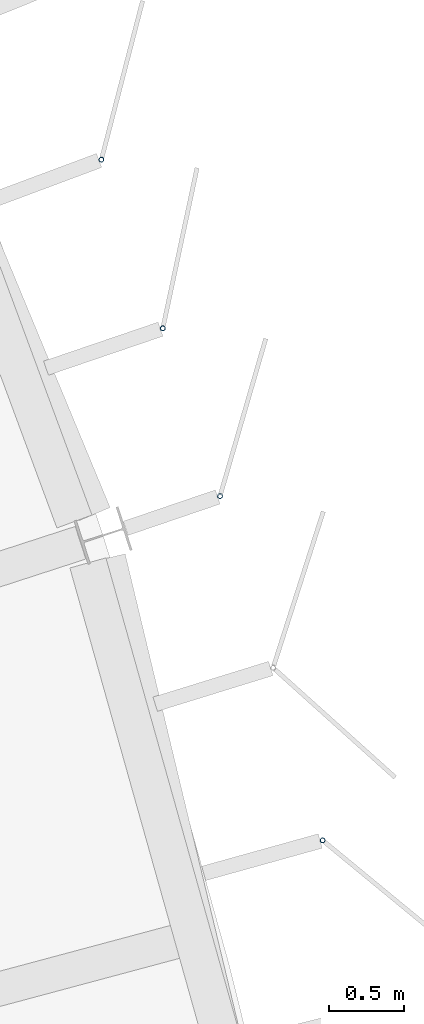
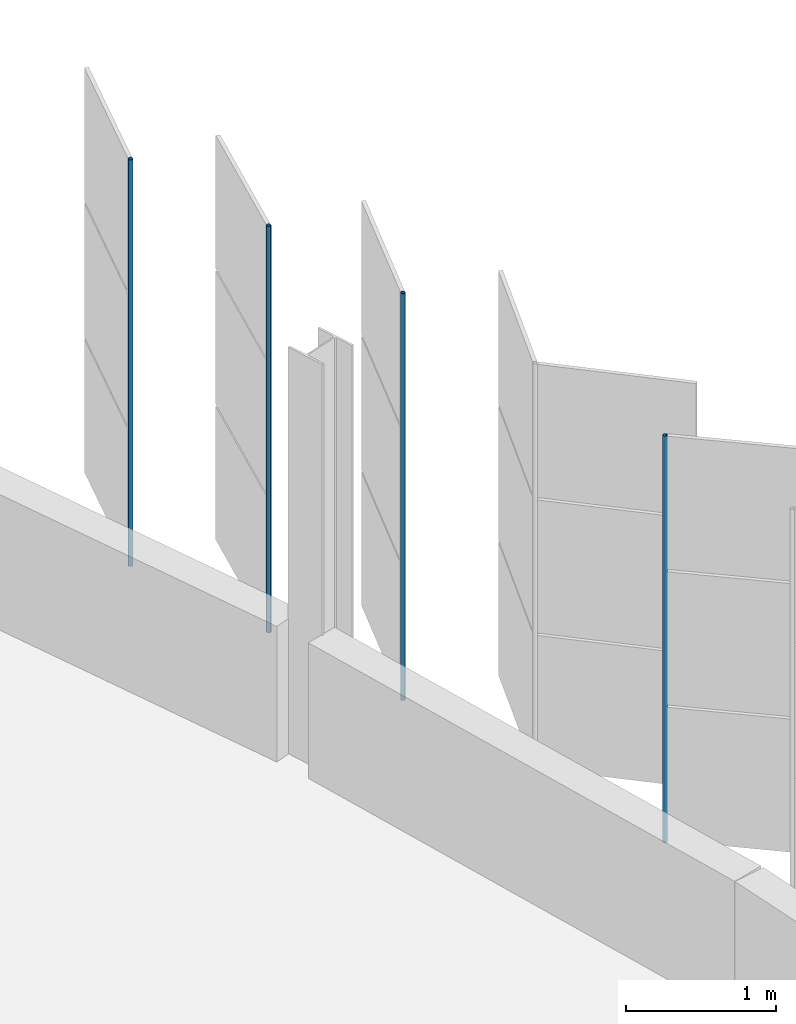
# One storey, part 139 of 214: 4 discrete accessories.
"""IFC4 building model written with IfcOpenShell, lengths in metres."""

from ifc_helpers import new_model, si_unit, direction, frame, origin, origin_2d, place, context, subcontext, project, spatial, hollow_circle, extrude, material, material_profile, profile_set, type_object, element, save


model = new_model("IFC4")

# Units and contexts
model_context = context("Model", 3, precision=1e-05, world=origin(), true_north=direction((0.0, 1.0)))
body_context = subcontext(model_context, "Body", "Model", "MODEL_VIEW")
ifc_project = project(units=[si_unit("LENGTHUNIT", "METRE"), si_unit("AREAUNIT", "SQUARE_METRE"), si_unit("VOLUMEUNIT", "CUBIC_METRE"), si_unit("PLANEANGLEUNIT", "RADIAN"), si_unit("MASSUNIT", "GRAM", prefix="KILO")], contexts=[model_context])

# Site, building, storey
site_placement = place(None, origin())
site = spatial("IfcSite", under=ifc_project, at=site_placement, CompositionType="ELEMENT")
building_placement = place(site_placement, origin())
building = spatial("IfcBuilding", under=site, at=building_placement, Name="Parallax Yard Mobility Hub", CompositionType="ELEMENT")
storey_placement = place(building_placement, frame((0.0, 0.0, 3.300048828125)))
storey = spatial("IfcBuildingStorey", under=building, at=storey_placement, Name="L01", CompositionType="ELEMENT", Elevation=3.300048828125)

# Discrete accessories
ifc_material = material(Name="Steel ASTM A500 Gr C, hot-dip galvanised", Category="steel")
ifc_material_profile = material_profile(ifc_material, hollow_circle(Radius=0.016845703125, WallThickness=0.003173828125, at=origin_2d()), Name="CHS 33.7x3.2")
ifc_profile_set = profile_set([ifc_material_profile], Name="Steel ASTM A500 Gr C, hot-dip galvanised")
discrete_accessory_type = type_object("IfcDiscreteAccessoryType", Name="Hinge post CHS 33.7x3.2", PredefinedType="BRACKET", material=ifc_profile_set)
for number, where, z_axis, x_axis, name in (
    (1, (223.896728515625, 104.18603515625, 0.0), (0.0, 0.0, 1.0), (1.0, 0.0, 0.0), "Hinge post bay 42.6 level L01"),
    (2, (223.21142578125, 106.485595703125, 0.0), (0.0, 0.0, 1.0), (1.0, 0.0, 0.0), "Hinge post bay 43.1 level L01"),
    (3, (222.829345703125, 107.60693359375, 0.0), (0.0, 0.0, 1.0), (1.0, 0.0, 0.0), "Hinge post bay 43.2 level L01"),
    (4, (222.4189453125, 108.734130859375, 0.0), (0.0, 0.0, 1.0), (1.0, 0.0, 0.0), "Hinge post bay 43.3 level L01"),
):
    element("IfcDiscreteAccessory", number, at=place(storey_placement, frame(where, z_axis=z_axis, x_axis=x_axis)), inside=storey, type_object=discrete_accessory_type, Name=name, PredefinedType="BRACKET", context=body_context, shape_type="SweptSolid", body=[
        extrude(hollow_circle(Radius=0.016845703125, WallThickness=0.003173828125, at=origin_2d()), origin(), (0.0, 0.0, 1.0), 3.300048828125),
    ])

save(model, "model.ifc")
